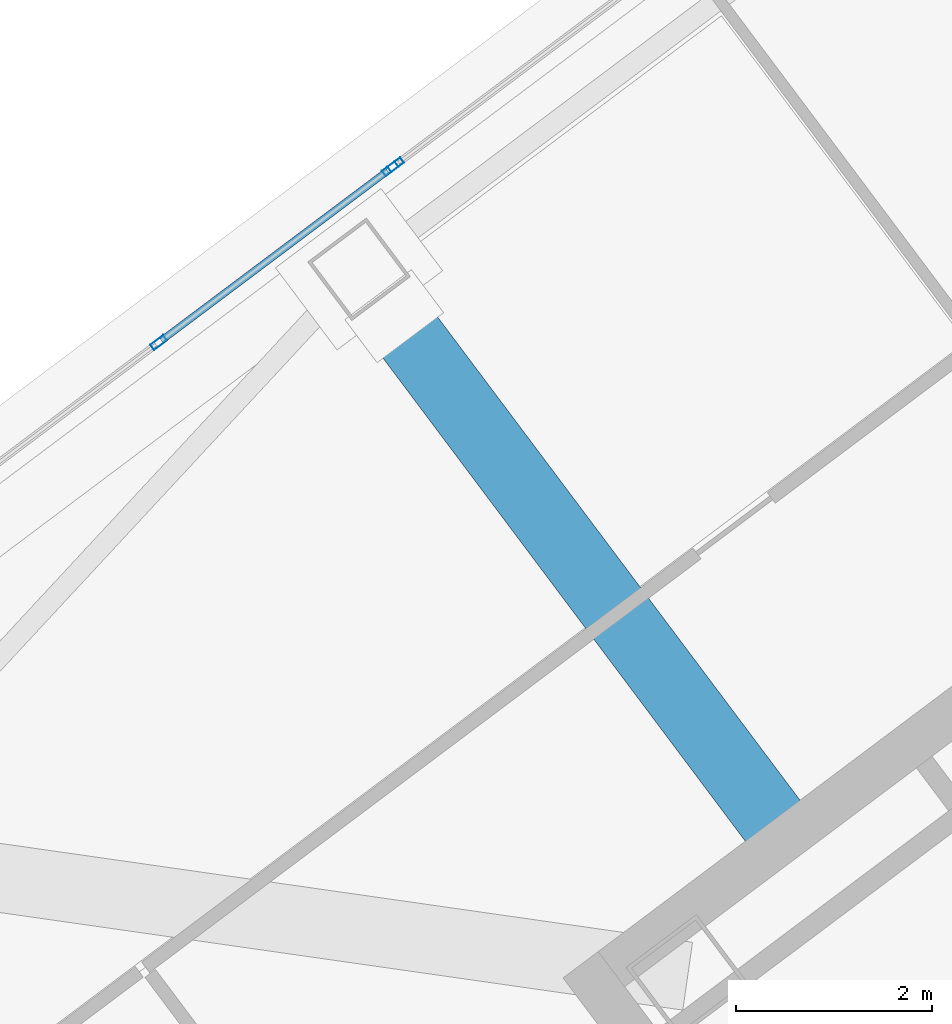
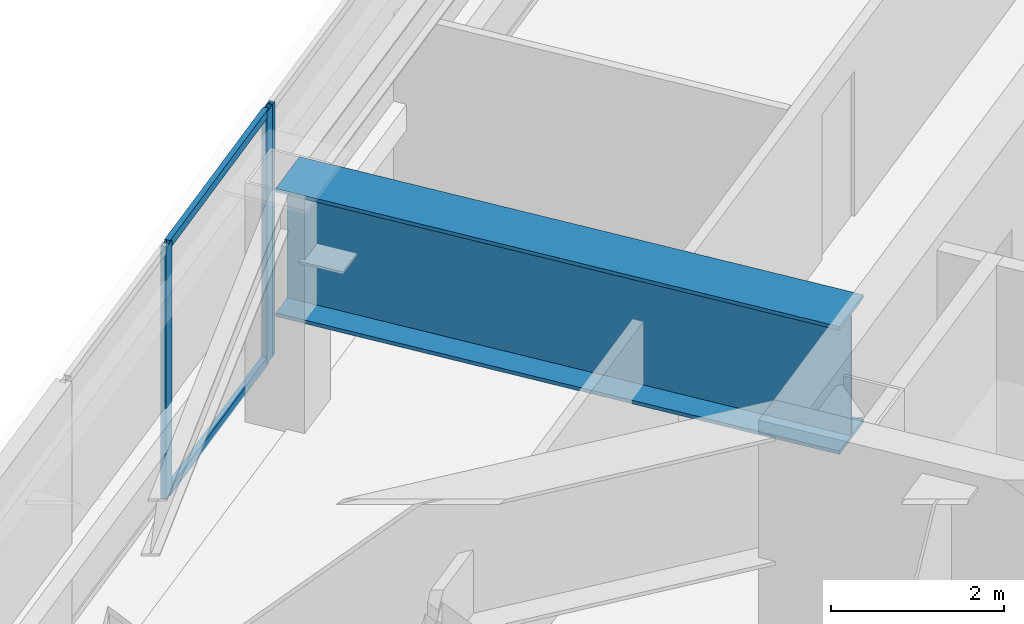
# One storey, part 21 of 40: 5 members, 1 beam, 2 elements without a shape of their own.
"""IFC4 building model written with IfcOpenShell, lengths in metres."""

from ifc_helpers import new_model, si_unit, direction, frame, origin, origin_2d, place, context, subcontext, project, spatial, hollow_rectangle, i_section, extrude, material, material_profile, profile_set, type_object, element, aggregate, save


model = new_model("IFC4")

# Units and contexts
model_context = context("Model", 3, precision=1e-05, world=origin(), true_north=direction((0.0, 1.0)))
body_context = subcontext(model_context, "Body", "Model", "MODEL_VIEW")
ifc_project = project(units=[si_unit("LENGTHUNIT", "METRE"), si_unit("AREAUNIT", "SQUARE_METRE"), si_unit("VOLUMEUNIT", "CUBIC_METRE"), si_unit("PLANEANGLEUNIT", "RADIAN"), si_unit("MASSUNIT", "GRAM", prefix="KILO")], contexts=[model_context])

# Site, building, storey
site_placement = place(None, origin())
site = spatial("IfcSite", under=ifc_project, at=site_placement, CompositionType="ELEMENT")
building_placement = place(site_placement, origin())
building = spatial("IfcBuilding", under=site, at=building_placement, Name="Tashvorn Skyway Center", CompositionType="ELEMENT")
storey_placement = place(building_placement, frame((0.0, 0.0, 229.050048828125)))
storey = spatial("IfcBuildingStorey", under=building, at=storey_placement, Name="L62", CompositionType="ELEMENT", Elevation=229.050048828125)

# Beam
ifc_material_1 = material(Name="Steel ASTM A572 Grade 50", Category="steel")
ifc_material_profile_1 = material_profile(ifc_material_1, i_section(OverallWidth=0.699951171875, OverallDepth=1.800048828125, WebThickness=0.031982421875, FlangeThickness=0.050048828125, at=origin_2d()), Name="PG1800x700")
ifc_profile_set_1 = profile_set([ifc_material_profile_1], Name="Steel ASTM A572 Grade 50")
beam_type = type_object("IfcBeamType", Name="BM-BEAM-PG1800x700", PredefinedType="BEAM", material=ifc_profile_set_1)
beam_placement = place(storey_placement, frame((100.77001953125, 40.639892578125, 2.469970703125), z_axis=(0.599994474857, -0.800004143828, 0.0), x_axis=(0.800004143828, 0.599994474857, 0.0)))
element("IfcBeam", 1, at=beam_placement, inside=storey, type_object=beam_type, Name="Tower 2 L62 Setback Transfer Girder FC-N2", PredefinedType="BEAM", context=body_context, shape_type="SweptSolid", body=[
    extrude(i_section(OverallWidth=0.699951171875, OverallDepth=1.800048828125, WebThickness=0.031982421875, FlangeThickness=0.050048828125, at=origin_2d()), origin(), (0.0, 0.0, 1.0), 7.070068359375),
])

# Curtain wall, members
ifc_material_2 = material(Name="Thermally broken bronze-anodized aluminium 6063-T6", Category="aluminium")
curtain_wall_type = type_object("IfcCurtainWallType", Name="CW-CW-Z5", PredefinedType="NOTDEFINED", material=ifc_material_2)
curtain_wall_1_placement = place(storey_placement, origin())
curtain_wall_1 = element("IfcCurtainWall", 2, at=curtain_wall_1_placement, inside=storey, type_object=curtain_wall_type, Name="Tower 2 L62 North Unitised Curtain Wall Glazing Group 1", PredefinedType="NOTDEFINED")
ifc_material_profile_2 = material_profile(ifc_material_2, hollow_rectangle(XDim=0.070068359375, YDim=0.1650390625, WallThickness=0.00390625, at=origin_2d()), Name="ALU-MULL-70x165")
ifc_profile_set_2 = profile_set([ifc_material_profile_2], Name="Thermally broken bronze-anodized aluminium 6063-T6")
member_type_1 = type_object("IfcMemberType", Name="CWM-CW-Z5", PredefinedType="MULLION", material=ifc_profile_set_2)
member_1_placement = place(storey_placement, frame((98.720947265625, 39.890625, 0.0), z_axis=(0.0, 0.0, 1.0), x_axis=(-0.600002670604, 0.79999799704, 0.0)))
member_1 = element("IfcMember", 3, at=member_1_placement, type_object=member_type_1, Name="CW-Z5 mullion 2", PredefinedType="MULLION", context=body_context, shape_type="SweptSolid", body=[
    extrude(hollow_rectangle(XDim=0.070068359375, YDim=0.1650390625, WallThickness=0.00390625, at=origin_2d()), origin(), (0.0, 0.0, 1.0), 3.550048828125),
])
member_2_placement = place(storey_placement, frame((101.08935546875, 41.6669921875, 0.0), z_axis=(0.0, 0.0, 1.0), x_axis=(-0.600002670604, 0.79999799704, 0.0)))
member_2 = element("IfcMember", 4, at=member_2_placement, type_object=member_type_1, Name="CW-Z5 mullion 3", PredefinedType="MULLION", context=body_context, shape_type="SweptSolid", body=[
    extrude(hollow_rectangle(XDim=0.070068359375, YDim=0.1650390625, WallThickness=0.00390625, at=origin_2d()), origin(), (0.0, 0.0, 1.0), 3.550048828125),
])

# Curtain wall, member
curtain_wall_2_placement = place(storey_placement, origin())
curtain_wall_2 = element("IfcCurtainWall", 5, at=curtain_wall_2_placement, inside=storey, type_object=curtain_wall_type, Name="Tower 2 L62 North Unitised Curtain Wall Glazing Group 2", PredefinedType="NOTDEFINED")
member_3_placement = place(storey_placement, frame((101.145263671875, 41.708984375, 0.0), z_axis=(0.0, 0.0, 1.0), x_axis=(-0.599996439189, 0.800002670596, 0.0)))
member_3 = element("IfcMember", 6, at=member_3_placement, type_object=member_type_1, Name="CW-Z5 mullion 1", PredefinedType="MULLION", context=body_context, shape_type="SweptSolid", body=[
    extrude(hollow_rectangle(XDim=0.070068359375, YDim=0.1650390625, WallThickness=0.00390625, at=origin_2d()), origin(), (0.0, 0.0, 1.0), 3.550048828125),
])
aggregate(curtain_wall_2, [member_3])

# Member
ifc_material_profile_3 = material_profile(ifc_material_2, hollow_rectangle(XDim=0.070068359375, YDim=0.114990234375, WallThickness=0.00390625, at=origin_2d()), Name="ALU-TRAN-70x115")
ifc_profile_set_3 = profile_set([ifc_material_profile_3], Name="Thermally broken bronze-anodized aluminium 6063-T6")
member_type_2 = type_object("IfcMemberType", Name="CWT-CW-Z5", PredefinedType="USERDEFINED", material=ifc_profile_set_3)
member_4_placement = place(storey_placement, frame((98.748779296875, 39.91162109375, 0.034912109375), z_axis=(0.8, 0.6, 0.0), x_axis=(-0.6, 0.8, 0.0)))
member_4 = element("IfcMember", 7, at=member_4_placement, type_object=member_type_2, Name="CW-Z5 transom 2.1", ObjectType="TRANSOM", PredefinedType="USERDEFINED", context=body_context, shape_type="SweptSolid", body=[
    extrude(hollow_rectangle(XDim=0.070068359375, YDim=0.114990234375, WallThickness=0.00390625, at=origin_2d()), origin(), (0.0, 0.0, 1.0), 2.890625),
])

member_5_placement = place(storey_placement, frame((98.748779296875, 39.91162109375, 3.514892578125), z_axis=(0.8, 0.6, 0.0), x_axis=(-0.6, 0.8, 0.0)))
member_5 = element("IfcMember", 8, at=member_5_placement, type_object=member_type_2, Name="CW-Z5 transom 2.2", ObjectType="TRANSOM", PredefinedType="USERDEFINED", context=body_context, shape_type="SweptSolid", body=[
    extrude(hollow_rectangle(XDim=0.070068359375, YDim=0.114990234375, WallThickness=0.00390625, at=origin_2d()), origin(), (0.0, 0.0, 1.0), 2.890625),
])

aggregate(curtain_wall_1, [member_1, member_2, member_4, member_5])

save(model, "model.ifc")
